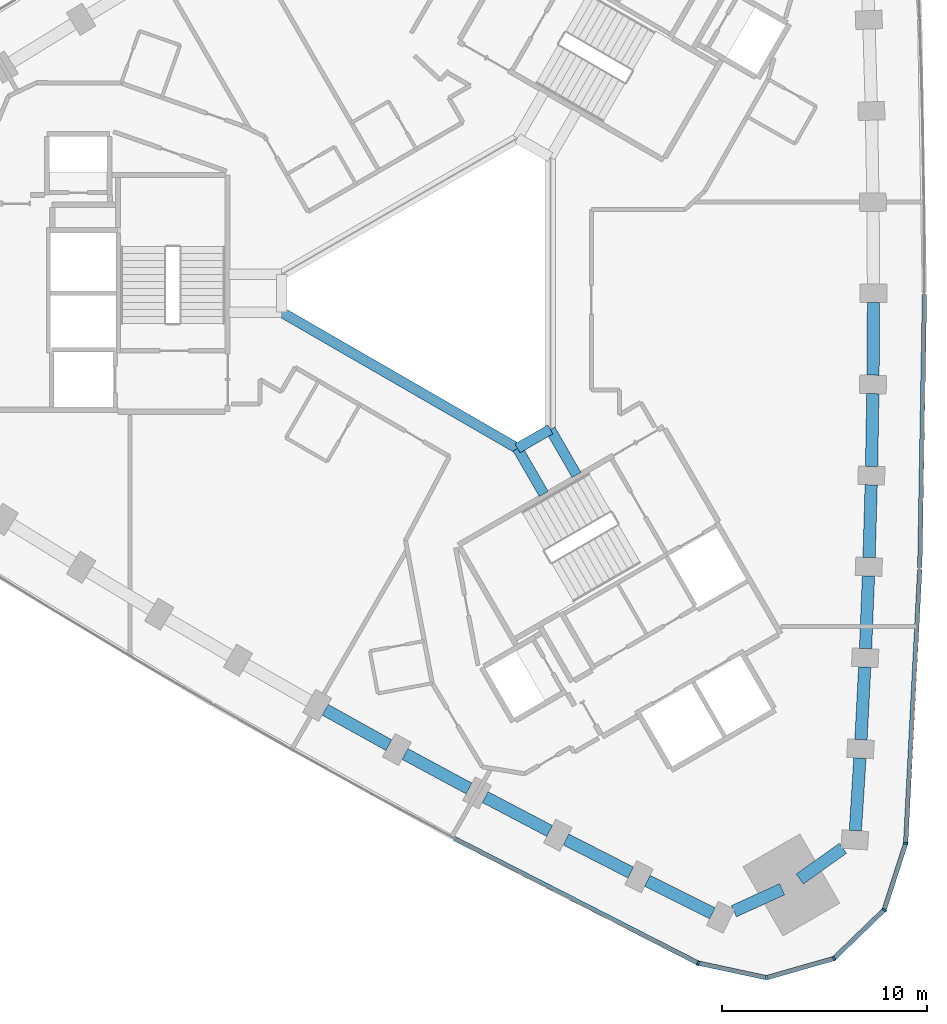
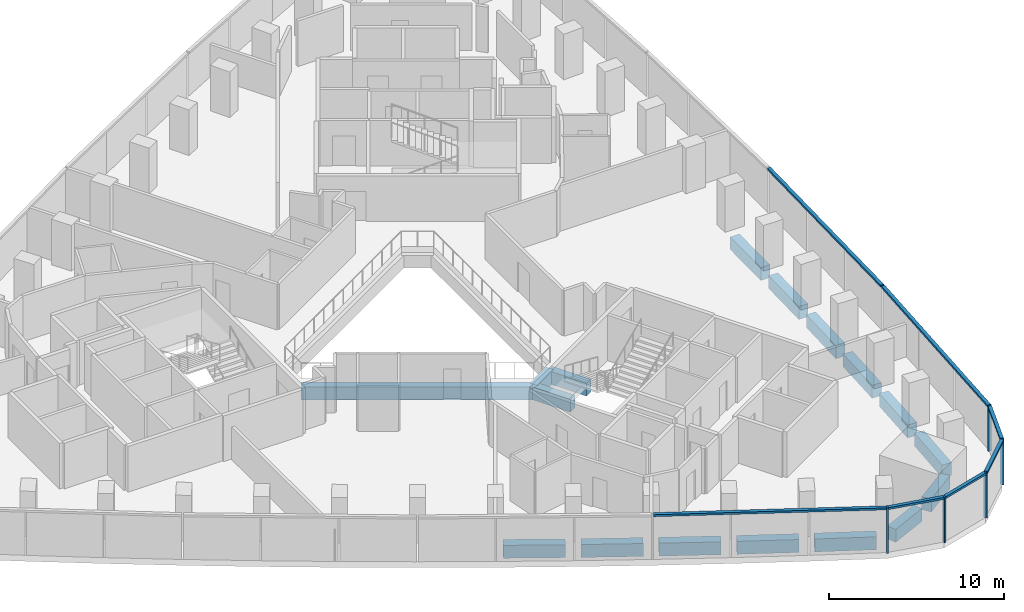
# One storey, part 3 of 12: 17 beams, 12 members, 2 elements without a shape of their own.
"""IFC4 building model written with IfcOpenShell, lengths in metres."""

from ifc_helpers import new_model, si_unit, direction, frame, origin, origin_2d, place, context, subcontext, project, spatial, rectangle, extrude, material, material_profile, profile_set, type_object, element, aggregate, save


model = new_model("IFC4")

# Units and contexts
model_context = context("Model", 3, precision=1e-05, world=origin(), true_north=direction((0.0, 1.0)))
body_context = subcontext(model_context, "Body", "Model", "MODEL_VIEW")
ifc_project = project(units=[si_unit("LENGTHUNIT", "METRE"), si_unit("AREAUNIT", "SQUARE_METRE"), si_unit("VOLUMEUNIT", "CUBIC_METRE"), si_unit("PLANEANGLEUNIT", "RADIAN"), si_unit("MASSUNIT", "GRAM", prefix="KILO")], contexts=[model_context])

# Site, building, storey
site_placement = place(None, origin())
site = spatial("IfcSite", under=ifc_project, at=site_placement, CompositionType="ELEMENT")
building_placement = place(site_placement, origin())
building = spatial("IfcBuilding", under=site, at=building_placement, Name="Tamra Quay Hotel Tower", CompositionType="ELEMENT")
storey_placement = place(building_placement, frame((0.0, 0.0, 104.60009765625)))
storey = spatial("IfcBuildingStorey", under=building, at=storey_placement, Name="L25", CompositionType="ELEMENT", Elevation=104.60009765625)

# Beams
ifc_material_1 = material(Name="Concrete M60", Category="concrete")
ifc_material_profile_1 = material_profile(ifc_material_1, rectangle(XDim=0.5, YDim=0.89990234375, at=origin_2d()), Name="ATRIUM EDGE BEAM RC 500x900")
ifc_profile_set_1 = profile_set([ifc_material_profile_1], Name="Concrete M60")
beam_type_1 = type_object("IfcBeamType", Name="ATRIUM EDGE BEAM RC 500x900", PredefinedType="BEAM", material=ifc_profile_set_1)
beam_1_placement = place(storey_placement, frame((4.89990234375, -6.639404296875, -0.875), z_axis=(-0.865989712182, -0.500061814573, 0.0), x_axis=(0.500061814573, -0.865989712182, 0.0)))
element("IfcBeam", 1, at=beam_1_placement, inside=storey, type_object=beam_type_1, Name="BM-AB1-L25", PredefinedType="BEAM", context=body_context, shape_type="SweptSolid", body=[
    extrude(rectangle(XDim=0.5, YDim=0.89990234375, at=origin_2d()), origin(), (0.0, 0.0, 1.0), 1.847412109375),
])
beam_2_placement = place(storey_placement, frame((3.300048828125, -7.563232421875, -0.875), z_axis=(-0.866029440693, 0.499993007805, 0.0), x_axis=(-0.499993007805, -0.866029440693, 0.0)))
element("IfcBeam", 2, at=beam_2_placement, inside=storey, type_object=beam_type_1, Name="BM-AB2-L25", PredefinedType="BEAM", context=body_context, shape_type="SweptSolid", body=[
    extrude(rectangle(XDim=0.5, YDim=0.89990234375, at=origin_2d()), origin(), (0.0, 0.0, 1.0), 13.279052734375),
])
ifc_material_profile_2 = material_profile(ifc_material_1, rectangle(XDim=0.5, YDim=0.89990234375, at=origin_2d()), Name="ATRIUM TIE BEAM RC 500x900")
ifc_profile_set_2 = profile_set([ifc_material_profile_2], Name="Concrete M60")
beam_type_2 = type_object("IfcBeamType", Name="ATRIUM TIE BEAM RC 500x900", PredefinedType="BEAM", material=ifc_profile_set_2)
for number, where, z_axis, x_axis, name in (
    (3, (4.89990234375, -6.639404296875, -0.875), (0.50003311468, -0.866006284171, 0.0), (0.866006284171, 0.50003311468, 0.0), "BM-TIE-1-L25"),
    (4, (3.300048828125, -7.563232421875, -0.875), (0.499961652204, -0.866047542763, 0.0), (0.866047542763, 0.499961652204, 0.0), "BM-TIE-2-L25"),
):
    element("IfcBeam", number, at=place(storey_placement, frame(where, z_axis=z_axis, x_axis=x_axis)), inside=storey, type_object=beam_type_2, Name=name, PredefinedType="BEAM", context=body_context, shape_type="SweptSolid", body=[
        extrude(rectangle(XDim=0.5, YDim=0.89990234375, at=origin_2d()), origin(), (0.0, 0.0, 1.0), 2.562255859375),
    ])

# Curtain wall, member
ifc_material_2 = material(Name="Aluminium 6063 anodised dark grey", Category="aluminium")
curtain_wall_type_1 = type_object("IfcCurtainWallType", Name="CW1 CURTAIN WALL", PredefinedType="NOTDEFINED", material=ifc_material_2)
curtain_wall_1_placement = place(storey_placement, origin())
curtain_wall_1 = element("IfcCurtainWall", 5, at=curtain_wall_1_placement, inside=storey, type_object=curtain_wall_type_1, Name="CW1 east face L25", PredefinedType="NOTDEFINED")
ifc_material_profile_3 = material_profile(ifc_material_2, rectangle(XDim=0.219970703125, YDim=0.10009765625, at=origin_2d()), Name="MULLION 100X220")
ifc_profile_set_3 = profile_set([ifc_material_profile_3], Name="Aluminium 6063 anodised dark grey")
member_type_1 = type_object("IfcMemberType", Name="MULLION CW1 Z2", PredefinedType="MULLION", material=ifc_profile_set_3)
member_1_placement = place(storey_placement, frame((22.226318359375, -26.81787109375, 0.0), z_axis=(0.0, 0.0, 1.0), x_axis=(0.982419091866, -0.186688853275, 0.0)))
member_1 = element("IfcMember", 6, at=member_1_placement, type_object=member_type_1, Name="CW1 mullion L25.E.1", PredefinedType="MULLION", context=body_context, shape_type="SweptSolid", body=[
    extrude(rectangle(XDim=0.219970703125, YDim=0.10009765625, at=origin_2d()), origin(), (0.0, 0.0, 1.0), 3.1748046875),
])

# Curtain wall, members
curtain_wall_type_2 = type_object("IfcCurtainWallType", Name="CW3 CURTAIN WALL", PredefinedType="NOTDEFINED", material=ifc_material_2)
curtain_wall_2_placement = place(storey_placement, origin())
curtain_wall_2 = element("IfcCurtainWall", 7, at=curtain_wall_2_placement, inside=storey, type_object=curtain_wall_type_2, Name="CW3 south-west face L25", PredefinedType="NOTDEFINED")
ifc_material_profile_4 = material_profile(ifc_material_2, rectangle(XDim=0.219970703125, YDim=0.10009765625, at=origin_2d()), Name="MULLION 100X220")
ifc_profile_set_4 = profile_set([ifc_material_profile_4], Name="Aluminium 6063 anodised dark grey")
member_type_2 = type_object("IfcMemberType", Name="MULLION CW3 Z2", PredefinedType="MULLION", material=ifc_profile_set_4)
member_2_placement = place(storey_placement, frame((12.111572265625, -32.657470703125, 0.0), z_axis=(0.0, 0.0, 1.0), x_axis=(-0.329532256394, -0.944144317356, 0.0)))
member_2 = element("IfcMember", 8, at=member_2_placement, type_object=member_type_2, Name="CW3 mullion L25.SW.13", PredefinedType="MULLION", context=body_context, shape_type="SweptSolid", body=[
    extrude(rectangle(XDim=0.219970703125, YDim=0.10009765625, at=origin_2d()), origin(), (0.0, 0.0, 1.0), 3.1748046875),
])
member_3_placement = place(storey_placement, frame((15.4462890625, -33.370849609375, 0.0), z_axis=(0.0, 0.0, 1.0), x_axis=(0.03404070031, -0.999420447421, 0.0)))
member_3 = element("IfcMember", 9, at=member_3_placement, type_object=member_type_2, Name="CW3 mullion L25.SW.14", PredefinedType="MULLION", context=body_context, shape_type="SweptSolid", body=[
    extrude(rectangle(XDim=0.219970703125, YDim=0.10009765625, at=origin_2d()), origin(), (0.0, 0.0, 1.0), 3.1748046875),
])
member_4_placement = place(storey_placement, frame((18.724853515625, -32.43212890625, 0.0), z_axis=(0.0, 0.0, 1.0), x_axis=(0.5, -0.866025403784, 0.0)))
member_4 = element("IfcMember", 10, at=member_4_placement, type_object=member_type_2, Name="CW3 mullion L25.SW.15", PredefinedType="MULLION", context=body_context, shape_type="SweptSolid", body=[
    extrude(rectangle(XDim=0.219970703125, YDim=0.10009765625, at=origin_2d()), origin(), (0.0, 0.0, 1.0), 3.1748046875),
])
member_5_placement = place(storey_placement, frame((21.1767578125, -30.062255859375, 0.0), z_axis=(0.0, 0.0, 1.0), x_axis=(0.848503146373, -0.529190334941, 0.0)))
member_5 = element("IfcMember", 11, at=member_5_placement, type_object=member_type_2, Name="CW3 mullion L25.SW.16", PredefinedType="MULLION", context=body_context, shape_type="SweptSolid", body=[
    extrude(rectangle(XDim=0.219970703125, YDim=0.10009765625, at=origin_2d()), origin(), (0.0, 0.0, 1.0), 3.1748046875),
])

# Beams
ifc_material_profile_5 = material_profile(ifc_material_1, rectangle(XDim=0.60009765625, YDim=0.89990234375, at=origin_2d()), Name="SPANDREL BEAM RC 600x900")
ifc_profile_set_5 = profile_set([ifc_material_profile_5], Name="Concrete M60")
beam_type_3 = type_object("IfcBeamType", Name="SPANDREL BEAM RC 600x900", PredefinedType="SPANDREL", material=ifc_profile_set_5)
beam_3_placement = place(storey_placement, frame((19.7744140625, -26.199462890625, -0.875), z_axis=(0.062669833409, 0.99803431403, 0.0), x_axis=(-0.99803431403, 0.062669833409, 0.0)))
element("IfcBeam", 12, at=beam_3_placement, inside=storey, type_object=beam_type_3, Name="BM-SP2-000-L25", PredefinedType="SPANDREL", context=body_context, shape_type="SweptSolid", body=[
    extrude(rectangle(XDim=0.60009765625, YDim=0.89990234375, at=origin_2d()), origin(), (0.0, 0.0, 1.0), 3.545166015625),
])
beam_4_placement = place(storey_placement, frame((20.048095703125, -21.7626953125, -0.875), z_axis=(0.051311627905, 0.998682690769, 0.0), x_axis=(-0.998682690769, 0.051311627905, 0.0)))
element("IfcBeam", 13, at=beam_4_placement, inside=storey, type_object=beam_type_3, Name="BM-SP2-001-L25", PredefinedType="SPANDREL", context=body_context, shape_type="SweptSolid", body=[
    extrude(rectangle(XDim=0.60009765625, YDim=0.89990234375, at=origin_2d()), origin(), (0.0, 0.0, 1.0), 3.544677734375),
])
for number, where, z_axis, x_axis, name in (
    (14, (20.27099609375, -17.323486328125, -0.875), (0.039946034354, 0.999201838639, 0.0), (-0.999201838639, 0.039946034354, 0.0), "BM-SP2-002-L25"),
    (15, (20.443359375, -12.882080078125, -0.875), (0.02858140136, 0.999591468299, 0.0), (-0.999591468299, 0.02858140136, 0.0), "BM-SP2-003-L25"),
):
    element("IfcBeam", number, at=place(storey_placement, frame(where, z_axis=z_axis, x_axis=x_axis)), inside=storey, type_object=beam_type_3, Name=name, PredefinedType="SPANDREL", context=body_context, shape_type="SweptSolid", body=[
        extrude(rectangle(XDim=0.60009765625, YDim=0.89990234375, at=origin_2d()), origin(), (0.0, 0.0, 1.0), 3.544921875),
    ])
beam_5_placement = place(storey_placement, frame((20.565185546875, -8.43896484375, -0.875), z_axis=(0.017149781635, 0.99985293168, 0.0), x_axis=(-0.99985293168, 0.017149781635, 0.0)))
element("IfcBeam", 16, at=beam_5_placement, inside=storey, type_object=beam_type_3, Name="BM-SP2-004-L25", PredefinedType="SPANDREL", context=body_context, shape_type="SweptSolid", body=[
    extrude(rectangle(XDim=0.60009765625, YDim=0.89990234375, at=origin_2d()), origin(), (0.0, 0.0, 1.0), 3.544677734375),
])
for number, where, z_axis, x_axis, name in (
    (17, (20.63623046875, -3.994873046875, -0.875), (0.005716160055, 0.999983662624, 0.0), (-0.999983662624, 0.005716160055, 0.0), "BM-SP2-005-L25"),
    (18, (-6.073974609375, -20.309814453125, -0.875), (0.874475461638, -0.48506975477, 0.0), (0.48506975477, 0.874475461638, 0.0), "BM-SP2-035-L25"),
    (19, (-2.184814453125, -22.46142578125, -0.875), (0.879950887438, -0.475064664753, 0.0), (0.475064664753, 0.879950887438, 0.0), "BM-SP2-036-L25"),
):
    element("IfcBeam", number, at=place(storey_placement, frame(where, z_axis=z_axis, x_axis=x_axis)), inside=storey, type_object=beam_type_3, Name=name, PredefinedType="SPANDREL", context=body_context, shape_type="SweptSolid", body=[
        extrude(rectangle(XDim=0.60009765625, YDim=0.89990234375, at=origin_2d()), origin(), (0.0, 0.0, 1.0), 3.544921875),
    ])
beam_6_placement = place(storey_placement, frame((1.72900390625, -24.568603515625, -0.875), z_axis=(0.885322773021, -0.464976975312, 0.0), x_axis=(0.464976975312, 0.885322773021, 0.0)))
element("IfcBeam", 20, at=beam_6_placement, inside=storey, type_object=beam_type_3, Name="BM-SP2-037-L25", PredefinedType="SPANDREL", context=body_context, shape_type="SweptSolid", body=[
    extrude(rectangle(XDim=0.60009765625, YDim=0.89990234375, at=origin_2d()), origin(), (0.0, 0.0, 1.0), 3.544677734375),
])
beam_7_placement = place(storey_placement, frame((5.666259765625, -26.630859375, -0.875), z_axis=(0.890551251107, -0.45488291807, 0.0), x_axis=(0.45488291807, 0.890551251107, 0.0)))
element("IfcBeam", 21, at=beam_7_placement, inside=storey, type_object=beam_type_3, Name="BM-SP2-038-L25", PredefinedType="SPANDREL", context=body_context, shape_type="SweptSolid", body=[
    extrude(rectangle(XDim=0.60009765625, YDim=0.89990234375, at=origin_2d()), origin(), (0.0, 0.0, 1.0), 3.544921875),
])
beam_8_placement = place(storey_placement, frame((9.626953125, -28.648193359375, -0.875), z_axis=(0.895622275285, -0.444815399928, 0.0), x_axis=(0.444815399928, 0.895622275285, 0.0)))
element("IfcBeam", 22, at=beam_8_placement, inside=storey, type_object=beam_type_3, Name="BM-SP2-039-L25", PredefinedType="SPANDREL", context=body_context, shape_type="SweptSolid", body=[
    extrude(rectangle(XDim=0.60009765625, YDim=0.89990234375, at=origin_2d()), origin(), (0.0, 0.0, 1.0), 3.545166015625),
])
for number, where, z_axis, x_axis, name in (
    (23, (13.8505859375, -30.130615234375, -0.875), (0.909819048293, 0.415005179923, 0.0), (-0.415005179923, 0.909819048293, 0.0), "BM-SP2-040-L25"),
    (24, (17.063720703125, -28.560546875, -0.875), (0.814339289036, 0.580389112865, 0.0), (-0.580389112865, 0.814339289036, 0.0), "BM-SP2-041-L25"),
):
    element("IfcBeam", number, at=place(storey_placement, frame(where, z_axis=z_axis, x_axis=x_axis)), inside=storey, type_object=beam_type_3, Name=name, PredefinedType="SPANDREL", context=body_context, shape_type="SweptSolid", body=[
        extrude(rectangle(XDim=0.60009765625, YDim=0.89990234375, at=origin_2d()), origin(), (0.0, 0.0, 1.0), 2.5849609375),
    ])

# Member
ifc_material_profile_6 = material_profile(ifc_material_2, rectangle(XDim=0.219970703125, YDim=0.139892578125, at=origin_2d()), Name="TRANSOM 220X140")
ifc_profile_set_6 = profile_set([ifc_material_profile_6], Name="Aluminium 6063 anodised dark grey")
member_type_3 = type_object("IfcMemberType", Name="TRANSOM CW1 Z2", PredefinedType="USERDEFINED", material=ifc_profile_set_6)
member_6_placement = place(storey_placement, frame((22.2294921875, -26.767822265625, 3.10498046875), z_axis=(0.051309919366, 0.998682778551, 0.0), x_axis=(-0.998682778551, 0.051309919366, 0.0)))
member_6 = element("IfcMember", 25, at=member_6_placement, type_object=member_type_3, Name="CW1 transom L25.E.1", ObjectType="TRANSOM", PredefinedType="USERDEFINED", context=body_context, shape_type="SweptSolid", body=[
    extrude(rectangle(XDim=0.219970703125, YDim=0.139892578125, at=origin_2d()), origin(), (0.0, 0.0, 1.0), 13.318115234375),
])

member_7_placement = place(storey_placement, frame((22.916259765625, -13.3671875, 3.10498046875), z_axis=(0.017138663343, 0.999853122323, 0.0), x_axis=(-0.999853122323, 0.017138663343, 0.0)))
member_7 = element("IfcMember", 26, at=member_7_placement, type_object=member_type_3, Name="CW1 transom L25.E.4", ObjectType="TRANSOM", PredefinedType="USERDEFINED", context=body_context, shape_type="SweptSolid", body=[
    extrude(rectangle(XDim=0.219970703125, YDim=0.139892578125, at=origin_2d()), origin(), (0.0, 0.0, 1.0), 13.319091796875),
])

aggregate(curtain_wall_1, [member_1, member_6, member_7])

ifc_material_profile_7 = material_profile(ifc_material_2, rectangle(XDim=0.219970703125, YDim=0.139892578125, at=origin_2d()), Name="TRANSOM 220X140")
ifc_profile_set_7 = profile_set([ifc_material_profile_7], Name="Aluminium 6063 anodised dark grey")
member_type_4 = type_object("IfcMemberType", Name="TRANSOM CW3 Z2", PredefinedType="USERDEFINED", material=ifc_profile_set_7)
member_8_placement = place(storey_placement, frame((0.20654296875, -26.57666015625, 3.10498046875), z_axis=(0.890537010915, -0.45491079586, 0.0), x_axis=(0.45491079586, 0.890537010915, 0.0)))
member_8 = element("IfcMember", 27, at=member_8_placement, type_object=member_type_4, Name="CW3 transom L25.SW.10", ObjectType="TRANSOM", PredefinedType="USERDEFINED", context=body_context, shape_type="SweptSolid", body=[
    extrude(rectangle(XDim=0.219970703125, YDim=0.139892578125, at=origin_2d()), origin(), (0.0, 0.0, 1.0), 13.318115234375),
])

member_9_placement = place(storey_placement, frame((12.16064453125, -32.66796875, 3.10498046875), z_axis=(0.977877907042, -0.209176477928, 0.0), x_axis=(0.209176477928, 0.977877907042, 0.0)))
member_9 = element("IfcMember", 28, at=member_9_placement, type_object=member_type_4, Name="CW3 transom L25.SW.13", ObjectType="TRANSOM", PredefinedType="USERDEFINED", context=body_context, shape_type="SweptSolid", body=[
    extrude(rectangle(XDim=0.219970703125, YDim=0.139892578125, at=origin_2d()), origin(), (0.0, 0.0, 1.0), 3.31005859375),
])

member_10_placement = place(storey_placement, frame((15.494384765625, -33.35693359375, 3.10498046875), z_axis=(0.961393028347, 0.275178932778, 0.0), x_axis=(-0.275178932778, 0.961393028347, 0.0)))
member_10 = element("IfcMember", 29, at=member_10_placement, type_object=member_type_4, Name="CW3 transom L25.SW.14", ObjectType="TRANSOM", PredefinedType="USERDEFINED", context=body_context, shape_type="SweptSolid", body=[
    extrude(rectangle(XDim=0.219970703125, YDim=0.139892578125, at=origin_2d()), origin(), (0.0, 0.0, 1.0), 3.31005859375),
])

member_11_placement = place(storey_placement, frame((18.7607421875, -32.3974609375, 3.10498046875), z_axis=(0.719063315741, 0.694944564664, 0.0), x_axis=(-0.694944564664, 0.719063315741, 0.0)))
member_11 = element("IfcMember", 30, at=member_11_placement, type_object=member_type_4, Name="CW3 transom L25.SW.15", ObjectType="TRANSOM", PredefinedType="USERDEFINED", context=body_context, shape_type="SweptSolid", body=[
    extrude(rectangle(XDim=0.219970703125, YDim=0.139892578125, at=origin_2d()), origin(), (0.0, 0.0, 1.0), 3.31005859375),
])

member_12_placement = place(storey_placement, frame((21.192138671875, -30.0146484375, 3.10498046875), z_axis=(0.307784937637, 0.951455953875, 0.0), x_axis=(-0.951455953875, 0.307784937637, 0.0)))
member_12 = element("IfcMember", 31, at=member_12_placement, type_object=member_type_4, Name="CW3 transom L25.SW.16", ObjectType="TRANSOM", PredefinedType="USERDEFINED", context=body_context, shape_type="SweptSolid", body=[
    extrude(rectangle(XDim=0.219970703125, YDim=0.139892578125, at=origin_2d()), origin(), (0.0, 0.0, 1.0), 3.31005859375),
])

aggregate(curtain_wall_2, [member_8, member_2, member_9, member_3, member_10, member_4, member_11, member_5, member_12])

save(model, "model.ifc")
